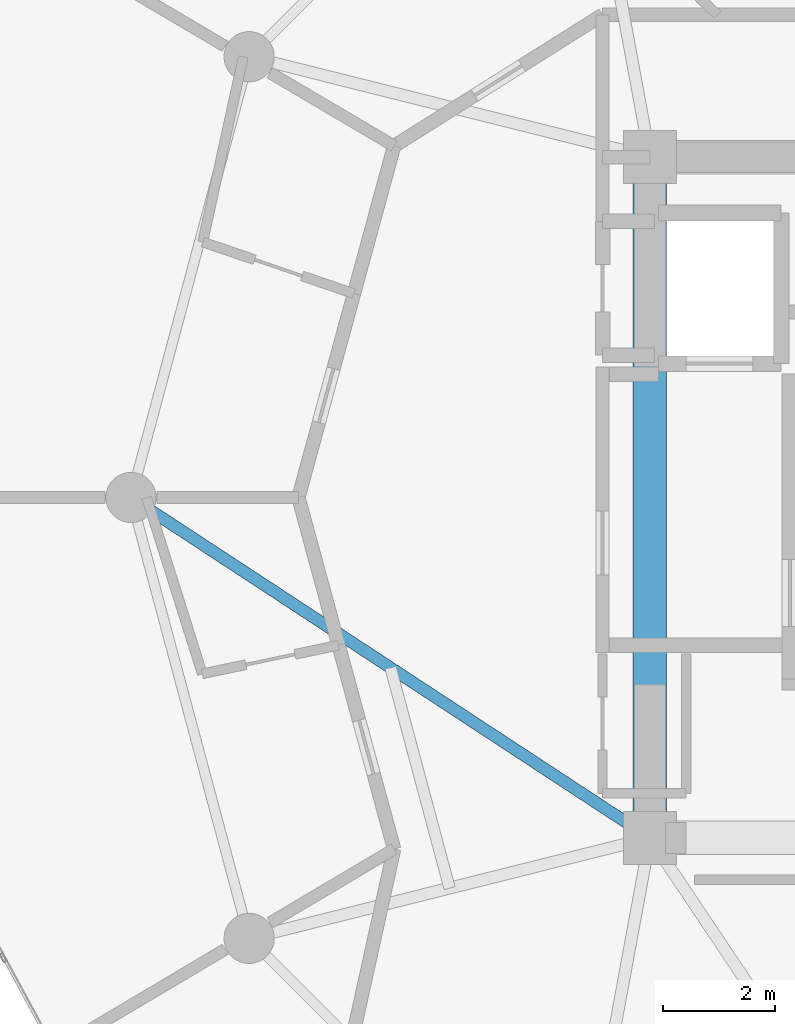
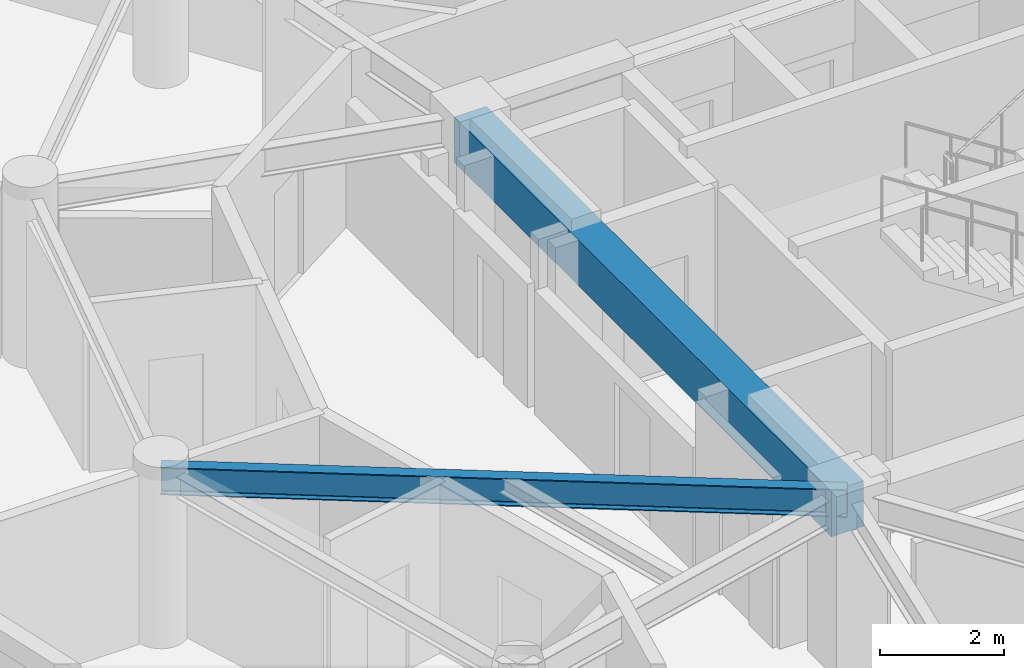
# One storey, part 8 of 23: 2 beams.
"""IFC4 building model written with IfcOpenShell, lengths in metres."""

from ifc_helpers import new_model, si_unit, direction, frame, origin, origin_2d, place, context, subcontext, project, spatial, rectangle, i_section, extrude, material, material_profile, profile_set, type_object, element, save


model = new_model("IFC4")

# Units and contexts
model_context = context("Model", 3, precision=1e-05, world=origin(), true_north=direction((0.0, 1.0)))
body_context = subcontext(model_context, "Body", "Model", "MODEL_VIEW")
ifc_project = project(units=[si_unit("LENGTHUNIT", "METRE"), si_unit("AREAUNIT", "SQUARE_METRE"), si_unit("VOLUMEUNIT", "CUBIC_METRE"), si_unit("PLANEANGLEUNIT", "RADIAN"), si_unit("MASSUNIT", "GRAM", prefix="KILO")], contexts=[model_context])

# Site, building, storey
site_placement = place(None, origin())
site = spatial("IfcSite", under=ifc_project, at=site_placement, CompositionType="ELEMENT")
building_placement = place(site_placement, origin())
building = spatial("IfcBuilding", under=site, at=building_placement, Name="Solvirekh Grand Hotel", CompositionType="ELEMENT")
storey_placement = place(building_placement, frame((0.0, 0.0, 180.39990234375)))
storey = spatial("IfcBuildingStorey", under=building, at=storey_placement, Name="L46", CompositionType="ELEMENT", Elevation=180.39990234375)

# Beams
ifc_material_1 = material(Name="Concrete C50/60", Category="concrete")
ifc_material_profile_1 = material_profile(ifc_material_1, rectangle(XDim=0.60009765625, YDim=0.89990234375, at=origin_2d()), Name="RC BEAM 600X900")
ifc_profile_set_1 = profile_set([ifc_material_profile_1], Name="Concrete C50/60")
beam_type_1 = type_object("IfcBeamType", Name="Beam_Core_RC900", PredefinedType="BEAM", material=ifc_profile_set_1)
beam_1_placement = place(storey_placement, frame((-6.5, 6.10009765625, 2.91015625), z_axis=(0.0, -1.0, 0.0), x_axis=(1.0, 0.0, 0.0)))
element("IfcBeam", 1, at=beam_1_placement, inside=storey, type_object=beam_type_1, Name="L46 core coupling ring beam 4", PredefinedType="BEAM", context=body_context, shape_type="SweptSolid", body=[
    extrude(rectangle(XDim=0.60009765625, YDim=0.89990234375, at=origin_2d()), origin(), (0.0, 0.0, 1.0), 12.2001953125),
])
ifc_material_2 = material(Name="Steel S355", Category="steel")
ifc_material_profile_2 = material_profile(ifc_material_2, i_section(OverallWidth=0.2119140625, OverallDepth=0.5439453125, WebThickness=0.011962890625, FlangeThickness=0.01904296875, FilletRadius=0.013916015625, at=origin_2d()), Name="W530X123")
ifc_profile_set_2 = profile_set([ifc_material_profile_2], Name="Steel S355")
beam_type_2 = type_object("IfcBeamType", Name="Beam_Radial_W530H", PredefinedType="BEAM", material=ifc_profile_set_2)
beam_2_placement = place(storey_placement, frame((-6.5, -6.10009765625, 3.088134765625), z_axis=(-0.836174064962, 0.548464158432, 0.0), x_axis=(-0.548464158432, -0.836174064962, 0.0)))
element("IfcBeam", 2, at=beam_2_placement, inside=storey, type_object=beam_type_2, Name="L46 radial floor beam R07", PredefinedType="BEAM", context=body_context, shape_type="SweptSolid", body=[
    extrude(i_section(OverallWidth=0.2119140625, OverallDepth=0.5439453125, WebThickness=0.011962890625, FlangeThickness=0.01904296875, FilletRadius=0.013916015625, at=origin_2d()), origin(), (0.0, 0.0, 1.0), 11.1220703125),
])

save(model, "model.ifc")
